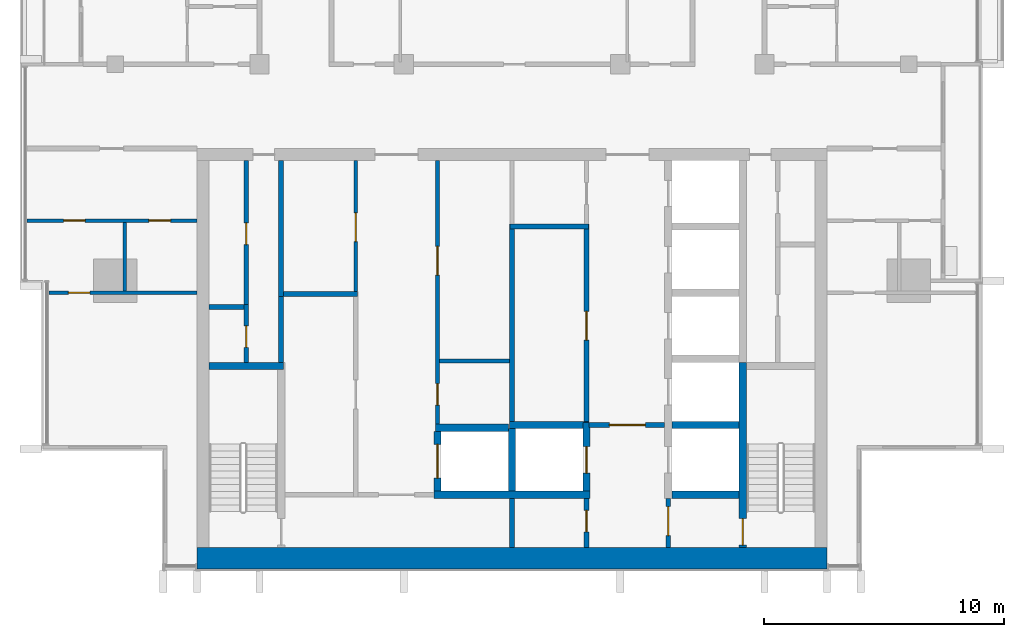
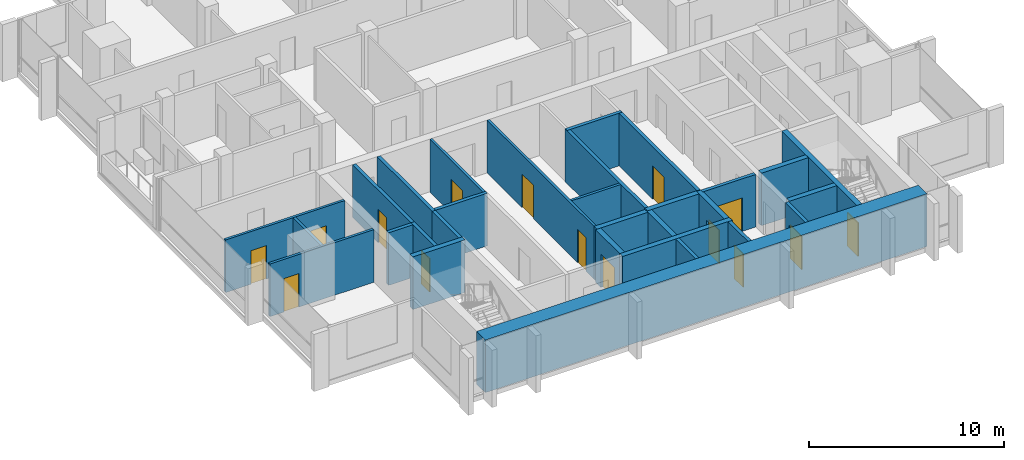
# One storey, part 7 of 15: 30 walls, 15 doors, 15 openings.
"""IFC4 building model written with IfcOpenShell, lengths in metres."""

from ifc_helpers import new_model, si_unit, direction, frame, frame_2d, origin, place, context, subcontext, project, spatial, rectangle, extrude, material, layer, layer_set, type_object, element, fill, save


model = new_model("IFC4")

# Units and contexts
model_context = context("Model", 3, precision=1e-05, world=origin(), true_north=direction((0.0, 1.0)))
body_context = subcontext(model_context, "Body", "Model", "MODEL_VIEW")
ifc_project = project(units=[si_unit("LENGTHUNIT", "METRE"), si_unit("AREAUNIT", "SQUARE_METRE"), si_unit("VOLUMEUNIT", "CUBIC_METRE"), si_unit("PLANEANGLEUNIT", "RADIAN"), si_unit("MASSUNIT", "GRAM", prefix="KILO")], contexts=[model_context])

# Site, building, storey
site_placement = place(None, origin())
site = spatial("IfcSite", under=ifc_project, at=site_placement, CompositionType="ELEMENT")
building_placement = place(site_placement, origin())
building = spatial("IfcBuilding", under=site, at=building_placement, Name="Finial Court Residences", CompositionType="ELEMENT")
storey_placement = place(building_placement, frame((0.0, 0.0, 266.300048828125)))
storey = spatial("IfcBuildingStorey", under=building, at=storey_placement, Name="L67", CompositionType="ELEMENT", Elevation=266.300048828125)

# Wall
ifc_material_1 = material(Name="Fire-rated gypsum board partition")
ifc_layer_1 = layer(ifc_material_1, 0.14990234375)
ifc_layer_set_1 = layer_set([ifc_layer_1], Name="Core room partition 150 EI 60")
wall_type_1 = type_object("IfcWallType", Name="Core room partition 150 EI 60", PredefinedType="PARTITIONING", material=ifc_layer_set_1)
wall_1_placement = place(storey_placement, frame((-3.02490234375, -16.840087890625, 0.0), z_axis=(0.0, 0.0, 1.0), x_axis=(1.0, 0.0, 0.0)))
element("IfcWall", 1, at=wall_1_placement, inside=storey, type_object=wall_type_1, Name="Core partition L67-11", PredefinedType="PARTITIONING", context=body_context, shape_type="SweptSolid", body=[
    extrude(rectangle(XDim=2.9248046875, YDim=0.14990234375, at=frame_2d((1.46240234375, 0.0))), origin(), (0.0, 0.0, 1.0), 3.300048828125),
])

# Wall, opening, door
wall_2_placement = place(storey_placement, frame((-6.5, -13.9599609375, 0.0), z_axis=(0.0, 0.0, 1.0), x_axis=(0.0, 1.0, 0.0)))
wall_2 = element("IfcWall", 2, at=wall_2_placement, inside=storey, type_object=wall_type_1, Name="Core partition L67-25", PredefinedType="PARTITIONING", context=body_context, shape_type="SweptSolid", body=[
    extrude(rectangle(XDim=5.4599609375, YDim=0.14990234375, at=frame_2d((2.72998046875, 0.0))), origin(), (0.0, 0.0, 1.0), 3.300048828125),
])
opening_1_placement = place(wall_2_placement, frame((2.080078125, 0.0, 0.0)))
opening_1 = element("IfcOpeningElement", 3, at=opening_1_placement, cuts=wall_2, Name="Opening L67-C15", PredefinedType="OPENING", context=body_context, shape_type="SweptSolid", body=[
    extrude(rectangle(XDim=1.199951171875, YDim=2.10009765625, at=frame_2d((0.60009765625, 1.050048828125))), frame((0.0, 0.0849609375, 0.0), z_axis=(0.0, -1.0, 0.0), x_axis=(1.0, 0.0, 0.0)), (0.0, 0.0, 1.0), 0.169921875),
])
ifc_material_2 = material(Name="Steel fire door", Category="steel")
door_type_1 = type_object("IfcDoorType", Name="Core room door 1200 x 2100 EI 60", OperationType="NOTDEFINED", PredefinedType="DOOR", material=ifc_material_2)
door_1_placement = place(opening_1_placement, origin())
door_1 = element("IfcDoor", 4, at=door_1_placement, inside=storey, type_object=door_type_1, Name="Core room door L67-C15", OperationType="SINGLE_SWING_RIGHT", OverallHeight=2.10009765625, OverallWidth=1.199951171875, PredefinedType="DOOR", context=body_context, shape_type="SweptSolid", body=[
    extrude(rectangle(XDim=1.199951171875, YDim=2.10009765625, at=frame_2d((0.60009765625, 1.050048828125))), frame((0.0, 0.02490234375, 0.0), z_axis=(0.0, -1.0, 0.0), x_axis=(1.0, 0.0, 0.0)), (0.0, 0.0, 1.0), 0.050048828125),
])
fill(opening_1, door_1)

# Wall, openings, doors
wall_3_placement = place(storey_placement, frame((-3.10009765625, -8.5, 0.0), z_axis=(0.0, 0.0, 1.0), x_axis=(0.0, -1.0, 0.0)))
wall_3 = element("IfcWall", 5, at=wall_3_placement, inside=storey, type_object=wall_type_1, Name="Core partition L67-27", PredefinedType="PARTITIONING", context=body_context, shape_type="SweptSolid", body=[
    extrude(rectangle(XDim=10.969970703125, YDim=0.14990234375, at=frame_2d((5.48486328125, 0.0))), origin(), (0.0, 0.0, 1.0), 3.300048828125),
])
opening_2_placement = place(wall_3_placement, frame((9.280029296875, 0.0, 0.0)))
opening_2 = element("IfcOpeningElement", 6, at=opening_2_placement, cuts=wall_3, Name="Opening L67-C16", PredefinedType="OPENING", context=body_context, shape_type="SweptSolid", body=[
    extrude(rectangle(XDim=0.89990234375, YDim=2.10009765625, at=frame_2d((0.449951171875, 1.050048828125))), frame((0.0, 0.0849609375, 0.0), z_axis=(0.0, -1.0, 0.0), x_axis=(1.0, 0.0, 0.0)), (0.0, 0.0, 1.0), 0.169921875),
])
opening_3_placement = place(wall_3_placement, frame((3.570068359375, 0.0, 0.0)))
opening_3 = element("IfcOpeningElement", 7, at=opening_3_placement, cuts=wall_3, Name="Opening L67-C17", PredefinedType="OPENING", context=body_context, shape_type="SweptSolid", body=[
    extrude(rectangle(XDim=1.199951171875, YDim=2.10009765625, at=frame_2d((0.60009765625, 1.050048828125))), frame((0.0, 0.0849609375, 0.0), z_axis=(0.0, -1.0, 0.0), x_axis=(1.0, 0.0, 0.0)), (0.0, 0.0, 1.0), 0.169921875),
])
door_2_placement = place(opening_3_placement, origin())
door_2 = element("IfcDoor", 8, at=door_2_placement, inside=storey, type_object=door_type_1, Name="Core room door L67-C17", OperationType="SINGLE_SWING_RIGHT", OverallHeight=2.10009765625, OverallWidth=1.199951171875, PredefinedType="DOOR", context=body_context, shape_type="SweptSolid", body=[
    extrude(rectangle(XDim=1.199951171875, YDim=2.10009765625, at=frame_2d((0.60009765625, 1.050048828125))), frame((0.0, 0.02490234375, 0.0), z_axis=(0.0, -1.0, 0.0), x_axis=(1.0, 0.0, 0.0)), (0.0, 0.0, 1.0), 0.050048828125),
])
fill(opening_3, door_2)
door_type_2 = type_object("IfcDoorType", Name="Core room door 900 x 2100 EI 60", OperationType="NOTDEFINED", PredefinedType="DOOR", material=ifc_material_2)
door_3_placement = place(opening_2_placement, origin())
door_3 = element("IfcDoor", 9, at=door_3_placement, inside=storey, type_object=door_type_2, Name="Core room door L67-C16", OperationType="SINGLE_SWING_RIGHT", OverallHeight=2.10009765625, OverallWidth=0.89990234375, PredefinedType="DOOR", context=body_context, shape_type="SweptSolid", body=[
    extrude(rectangle(XDim=0.89990234375, YDim=2.10009765625, at=frame_2d((0.449951171875, 1.050048828125))), frame((0.0, 0.02490234375, 0.0), z_axis=(0.0, -1.0, 0.0), x_axis=(1.0, 0.0, 0.0)), (0.0, 0.0, 1.0), 0.050048828125),
])
fill(opening_2, door_3)

# Wall
ifc_material_3 = material(Name="Concrete C50/60", Category="concrete")
ifc_layer_2 = layer(ifc_material_3, 0.89990234375)
ifc_layer_set_2 = layer_set([ifc_layer_2], Name="Core south facade wall 900 Concrete C50/60")
wall_type_2 = type_object("IfcWallType", Name="Core south facade wall 900 Concrete C50/60", PredefinedType="SHEAR", material=ifc_layer_set_2)
wall_4_placement = place(storey_placement, frame((-13.10009765625, -25.050048828125, 0.0), z_axis=(0.0, 0.0, 1.0), x_axis=(1.0, 0.0, 0.0)))
element("IfcWall", 10, at=wall_4_placement, inside=storey, type_object=wall_type_2, Name="Core outer wall L67-01", PredefinedType="SHEAR", context=body_context, shape_type="SweptSolid", body=[
    extrude(rectangle(XDim=26.2001953125, YDim=0.89990234375, at=frame_2d((13.10009765625, 0.0))), origin(), (0.0, 0.0, 1.0), 3.300048828125),
])

# Wall, opening, door
ifc_layer_3 = layer(ifc_material_1, 0.199951171875)
ifc_layer_set_3 = layer_set([ifc_layer_3], Name="Firefighting lobby wall 200 EI 120")
wall_type_3 = type_object("IfcWallType", Name="Firefighting lobby wall 200 EI 120", PredefinedType="PARTITIONING", material=ifc_layer_set_3)
wall_5_placement = place(storey_placement, frame((6.35009765625, -19.5, 0.0), z_axis=(0.0, 0.0, 1.0), x_axis=(-1.0, 0.0, 0.0)))
wall_5 = element("IfcWall", 11, at=wall_5_placement, inside=storey, type_object=wall_type_3, Name="Core partition L67-07", PredefinedType="PARTITIONING", context=body_context, shape_type="SweptSolid", body=[
    extrude(rectangle(XDim=3.150146484375, YDim=0.199951171875, at=frame_2d((1.5751953125, 0.0))), origin(), (0.0, 0.0, 1.0), 3.300048828125),
])
opening_4_placement = place(wall_5_placement, frame((0.800048828125, 0.0, 0.0)))
opening_4 = element("IfcOpeningElement", 12, at=opening_4_placement, cuts=wall_5, Name="Opening L67-C02", PredefinedType="OPENING", context=body_context, shape_type="SweptSolid", body=[
    extrude(rectangle(XDim=1.5, YDim=2.10009765625, at=frame_2d((0.75, 1.050048828125))), frame((0.0, 0.10986328125, 0.0), z_axis=(0.0, -1.0, 0.0), x_axis=(1.0, 0.0, 0.0)), (0.0, 0.0, 1.0), 0.219970703125),
])
door_type_3 = type_object("IfcDoorType", Name="Firefighting lobby door 1500 x 2100 EI 90", OperationType="DOUBLE_DOOR_SINGLE_SWING", PredefinedType="DOOR", material=ifc_material_2)
door_4_placement = place(opening_4_placement, origin())
door_4 = element("IfcDoor", 13, at=door_4_placement, inside=storey, type_object=door_type_3, Name="Firefighting lobby door L67-C02", OperationType="DOUBLE_DOOR_SINGLE_SWING", OverallHeight=2.10009765625, OverallWidth=1.5, PredefinedType="DOOR", context=body_context, shape_type="SweptSolid", body=[
    extrude(rectangle(XDim=1.5, YDim=2.10009765625, at=frame_2d((0.75, 1.050048828125))), frame((0.0, 0.02490234375, 0.0), z_axis=(0.0, -1.0, 0.0), x_axis=(1.0, 0.0, 0.0)), (0.0, 0.0, 1.0), 0.050048828125),
])
fill(opening_4, door_4)

wall_6_placement = place(storey_placement, frame((3.10009765625, -24.60009765625, 0.0), z_axis=(0.0, 0.0, 1.0), x_axis=(0.0, 1.0, 0.0)))
wall_6 = element("IfcWall", 14, at=wall_6_placement, inside=storey, type_object=wall_type_3, Name="Core partition L67-32", PredefinedType="PARTITIONING", context=body_context, shape_type="SweptSolid", body=[
    extrude(rectangle(XDim=2.050048828125, YDim=0.199951171875, at=frame_2d((1.02490234375, 0.0))), origin(), (0.0, 0.0, 1.0), 3.300048828125),
])
opening_5_placement = place(wall_6_placement, frame((0.64990234375, 0.0, 0.0)))
opening_5 = element("IfcOpeningElement", 15, at=opening_5_placement, cuts=wall_6, Name="Opening L67-C06", PredefinedType="OPENING", context=body_context, shape_type="SweptSolid", body=[
    extrude(rectangle(XDim=0.89990234375, YDim=2.10009765625, at=frame_2d((0.449951171875, 1.050048828125))), frame((0.0, 0.10986328125, 0.0), z_axis=(0.0, -1.0, 0.0), x_axis=(1.0, 0.0, 0.0)), (0.0, 0.0, 1.0), 0.219970703125),
])
door_type_4 = type_object("IfcDoorType", Name="Riser room door 900 x 2100 EI 90", OperationType="NOTDEFINED", PredefinedType="DOOR", material=ifc_material_2)
door_5_placement = place(opening_5_placement, origin())
door_5 = element("IfcDoor", 16, at=door_5_placement, inside=storey, type_object=door_type_4, Name="Riser room door L67-C06", OperationType="SINGLE_SWING_LEFT", OverallHeight=2.10009765625, OverallWidth=0.89990234375, PredefinedType="DOOR", context=body_context, shape_type="SweptSolid", body=[
    extrude(rectangle(XDim=0.89990234375, YDim=2.10009765625, at=frame_2d((0.449951171875, 1.050048828125))), frame((0.0, 0.02490234375, 0.0), z_axis=(0.0, -1.0, 0.0), x_axis=(1.0, 0.0, 0.0)), (0.0, 0.0, 1.0), 0.050048828125),
])
fill(opening_5, door_5)

wall_7_placement = place(storey_placement, frame((6.5, -22.550048828125, 0.0), z_axis=(0.0, 0.0, 1.0), x_axis=(0.0, -1.0, 0.0)))
wall_7 = element("IfcWall", 17, at=wall_7_placement, inside=storey, type_object=wall_type_3, Name="Core partition L67-36", PredefinedType="PARTITIONING", context=body_context, shape_type="SweptSolid", body=[
    extrude(rectangle(XDim=2.050048828125, YDim=0.199951171875, at=frame_2d((1.02490234375, 0.0))), origin(), (0.0, 0.0, 1.0), 3.300048828125),
])
opening_6_placement = place(wall_7_placement, frame((0.35009765625, 0.0, 0.0)))
opening_6 = element("IfcOpeningElement", 18, at=opening_6_placement, cuts=wall_7, Name="Opening L67-C01", PredefinedType="OPENING", context=body_context, shape_type="SweptSolid", body=[
    extrude(rectangle(XDim=1.199951171875, YDim=2.10009765625, at=frame_2d((0.60009765625, 1.050048828125))), frame((0.0, 0.10986328125, 0.0), z_axis=(0.0, -1.0, 0.0), x_axis=(1.0, 0.0, 0.0)), (0.0, 0.0, 1.0), 0.219970703125),
])
door_type_5 = type_object("IfcDoorType", Name="Firefighting lobby door 1200 x 2100 EI 90", OperationType="NOTDEFINED", PredefinedType="DOOR", material=ifc_material_2)
door_6_placement = place(opening_6_placement, origin())
door_6 = element("IfcDoor", 19, at=door_6_placement, inside=storey, type_object=door_type_5, Name="Firefighting lobby door L67-C01", OperationType="SINGLE_SWING_RIGHT", OverallHeight=2.10009765625, OverallWidth=1.199951171875, PredefinedType="DOOR", context=body_context, shape_type="SweptSolid", body=[
    extrude(rectangle(XDim=1.199951171875, YDim=2.10009765625, at=frame_2d((0.60009765625, 1.050048828125))), frame((0.0, 0.02490234375, 0.0), z_axis=(0.0, -1.0, 0.0), x_axis=(1.0, 0.0, 0.0)), (0.0, 0.0, 1.0), 0.050048828125),
])
fill(opening_6, door_6)

ifc_material_4 = material(Name="Moisture-resistant gypsum board")
ifc_layer_4 = layer(ifc_material_4, 0.012451171875)
ifc_material_5 = material(Name="Mineral wool in light-gauge frame")
ifc_layer_5 = layer(ifc_material_5, 0.125)
ifc_layer_6 = layer(ifc_material_4, 0.012451171875)
ifc_layer_set_4 = layer_set([ifc_layer_4, ifc_layer_5, ifc_layer_6], Name="Gypsum board wet-area partition 150")
wall_type_4 = type_object("IfcWallType", Name="Gypsum board wet-area partition 150", PredefinedType="PARTITIONING", material=ifc_layer_set_4)
wall_8_placement = place(storey_placement, frame((-19.262451171875, -14.0, 0.0), z_axis=(0.0, 0.0, 1.0), x_axis=(1.0, 0.0, 0.0)))
wall_8 = element("IfcWall", 20, at=wall_8_placement, inside=storey, type_object=wall_type_4, Name="Partition L67-000", PredefinedType="PARTITIONING", context=body_context, shape_type="SweptSolid", body=[
    extrude(rectangle(XDim=6.162353515625, YDim=0.14990234375, at=frame_2d((3.0810546875, 0.0))), origin(), (0.0, 0.0, 1.0), 3.300048828125),
])
opening_7_placement = place(wall_8_placement, frame((0.81201171875, 0.0, 0.0)))
opening_7 = element("IfcOpeningElement", 21, at=opening_7_placement, cuts=wall_8, Name="Opening L67-D001", PredefinedType="OPENING", context=body_context, shape_type="SweptSolid", body=[
    extrude(rectangle(XDim=0.89990234375, YDim=2.10009765625, at=frame_2d((0.449951171875, 1.050048828125))), frame((0.0, 0.0849609375, 0.0), z_axis=(0.0, -1.0, 0.0), x_axis=(1.0, 0.0, 0.0)), (0.0, 0.0, 1.0), 0.169921875),
])
ifc_material_6 = material(Name="Timber door leaf in timber frame", Category="wood")
door_type_6 = type_object("IfcDoorType", Name="Door set 900 x 2100", OperationType="SINGLE_SWING_LEFT", PredefinedType="DOOR", material=ifc_material_6)
door_7_placement = place(opening_7_placement, origin())
door_7 = element("IfcDoor", 22, at=door_7_placement, inside=storey, type_object=door_type_6, Name="Door L67-D001", OperationType="SINGLE_SWING_LEFT", OverallHeight=2.10009765625, OverallWidth=0.89990234375, PredefinedType="DOOR", context=body_context, shape_type="SweptSolid", body=[
    extrude(rectangle(XDim=0.89990234375, YDim=2.10009765625, at=frame_2d((0.449951171875, 1.050048828125))), frame((0.0, 0.02490234375, 0.0), z_axis=(0.0, -1.0, 0.0), x_axis=(1.0, 0.0, 0.0)), (0.0, 0.0, 1.0), 0.050048828125),
])
fill(opening_7, door_7)

# Wall, openings, doors
wall_9_placement = place(storey_placement, frame((-20.16259765625, -11.0, 0.0), z_axis=(0.0, 0.0, 1.0), x_axis=(1.0, 0.0, 0.0)))
wall_9 = element("IfcWall", 23, at=wall_9_placement, inside=storey, type_object=wall_type_4, Name="Partition L67-002", PredefinedType="PARTITIONING", context=body_context, shape_type="SweptSolid", body=[
    extrude(rectangle(XDim=7.0625, YDim=0.14990234375, at=frame_2d((3.53125, 0.0))), origin(), (0.0, 0.0, 1.0), 3.300048828125),
])
opening_8_placement = place(wall_9_placement, frame((1.512939453125, 0.0, 0.0)))
opening_8 = element("IfcOpeningElement", 24, at=opening_8_placement, cuts=wall_9, Name="Opening L67-D003", PredefinedType="OPENING", context=body_context, shape_type="SweptSolid", body=[
    extrude(rectangle(XDim=0.89990234375, YDim=2.10009765625, at=frame_2d((0.449951171875, 1.050048828125))), frame((0.0, 0.0849609375, 0.0), z_axis=(0.0, -1.0, 0.0), x_axis=(1.0, 0.0, 0.0)), (0.0, 0.0, 1.0), 0.169921875),
])
opening_9_placement = place(wall_9_placement, frame((5.06298828125, 0.0, 0.0)))
opening_9 = element("IfcOpeningElement", 25, at=opening_9_placement, cuts=wall_9, Name="Opening L67-D004", PredefinedType="OPENING", context=body_context, shape_type="SweptSolid", body=[
    extrude(rectangle(XDim=0.89990234375, YDim=2.10009765625, at=frame_2d((0.449951171875, 1.050048828125))), frame((0.0, 0.0849609375, 0.0), z_axis=(0.0, -1.0, 0.0), x_axis=(1.0, 0.0, 0.0)), (0.0, 0.0, 1.0), 0.169921875),
])
door_8_placement = place(opening_8_placement, origin())
door_8 = element("IfcDoor", 26, at=door_8_placement, inside=storey, type_object=door_type_6, Name="Door L67-D003", OperationType="SINGLE_SWING_LEFT", OverallHeight=2.10009765625, OverallWidth=0.89990234375, PredefinedType="DOOR", context=body_context, shape_type="SweptSolid", body=[
    extrude(rectangle(XDim=0.89990234375, YDim=2.10009765625, at=frame_2d((0.449951171875, 1.050048828125))), frame((0.0, 0.02490234375, 0.0), z_axis=(0.0, -1.0, 0.0), x_axis=(1.0, 0.0, 0.0)), (0.0, 0.0, 1.0), 0.050048828125),
])
fill(opening_8, door_8)
door_9_placement = place(opening_9_placement, origin())
door_9 = element("IfcDoor", 27, at=door_9_placement, inside=storey, type_object=door_type_6, Name="Door L67-D004", OperationType="SINGLE_SWING_RIGHT", OverallHeight=2.10009765625, OverallWidth=0.89990234375, PredefinedType="DOOR", context=body_context, shape_type="SweptSolid", body=[
    extrude(rectangle(XDim=0.89990234375, YDim=2.10009765625, at=frame_2d((0.449951171875, 1.050048828125))), frame((0.0, 0.02490234375, 0.0), z_axis=(0.0, -1.0, 0.0), x_axis=(1.0, 0.0, 0.0)), (0.0, 0.0, 1.0), 0.050048828125),
])
fill(opening_9, door_9)

# Walls
wall_10_placement = place(storey_placement, frame((-16.10009765625, -13.925048828125, 0.0), z_axis=(0.0, 0.0, 1.0), x_axis=(0.0, 1.0, 0.0)))
element("IfcWall", 28, at=wall_10_placement, inside=storey, type_object=wall_type_4, Name="Partition L67-018", PredefinedType="PARTITIONING", context=body_context, shape_type="SweptSolid", body=[
    extrude(rectangle(XDim=2.85009765625, YDim=0.14990234375, at=frame_2d((1.425048828125, 0.0))), origin(), (0.0, 0.0, 1.0), 3.300048828125),
])
ifc_layer_7 = layer(ifc_material_3, 0.300048828125)
ifc_layer_set_5 = layer_set([ifc_layer_7], Name="Lift shaft and stair wall 300 Concrete C50/60")
wall_type_5 = type_object("IfcWallType", Name="Lift shaft and stair wall 300 Concrete C50/60", PredefinedType="SHEAR", material=ifc_layer_set_5)
wall_11_placement = place(storey_placement, frame((-3.25, -22.39990234375, 0.0), z_axis=(0.0, 0.0, 1.0), x_axis=(1.0, 0.0, 0.0)))
element("IfcWall", 29, at=wall_11_placement, inside=storey, type_object=wall_type_5, Name="Core wall L67-03", PredefinedType="SHEAR", context=body_context, shape_type="SweptSolid", body=[
    extrude(rectangle(XDim=6.5, YDim=0.300048828125, at=frame_2d((3.25, 0.0))), origin(), (0.0, 0.0, 1.0), 3.300048828125),
])
wall_12_placement = place(storey_placement, frame((6.64990234375, -22.39990234375, 0.0), z_axis=(0.0, 0.0, 1.0), x_axis=(1.0, 0.0, 0.0)))
element("IfcWall", 30, at=wall_12_placement, inside=storey, type_object=wall_type_5, Name="Core wall L67-04", PredefinedType="SHEAR", context=body_context, shape_type="SweptSolid", body=[
    extrude(rectangle(XDim=2.800048828125, YDim=0.300048828125, at=frame_2d((1.39990234375, 0.0))), origin(), (0.0, 0.0, 1.0), 3.300048828125),
])
wall_13_placement = place(storey_placement, frame((-3.175048828125, -19.6201171875, 0.0), z_axis=(0.0, 0.0, 1.0), x_axis=(1.0, 0.0, 0.0)))
element("IfcWall", 31, at=wall_13_placement, inside=storey, type_object=wall_type_5, Name="Core wall L67-05", PredefinedType="SHEAR", context=body_context, shape_type="SweptSolid", body=[
    extrude(rectangle(XDim=3.025146484375, YDim=0.300048828125, at=frame_2d((1.5126953125, 0.0))), origin(), (0.0, 0.0, 1.0), 3.300048828125),
])
wall_14_placement = place(storey_placement, frame((-0.10009765625, -19.5, 0.0), z_axis=(0.0, 0.0, 1.0), x_axis=(1.0, 0.0, 0.0)))
element("IfcWall", 32, at=wall_14_placement, inside=storey, type_object=wall_type_5, Name="Core wall L67-06", PredefinedType="SHEAR", context=body_context, shape_type="SweptSolid", body=[
    extrude(rectangle(XDim=3.300048828125, YDim=0.300048828125, at=frame_2d((1.64990234375, 0.0))), origin(), (0.0, 0.0, 1.0), 3.300048828125),
])
wall_15_placement = place(storey_placement, frame((6.64990234375, -19.5, 0.0), z_axis=(0.0, 0.0, 1.0), x_axis=(1.0, 0.0, 0.0)))
element("IfcWall", 33, at=wall_15_placement, inside=storey, type_object=wall_type_5, Name="Core wall L67-08", PredefinedType="SHEAR", context=body_context, shape_type="SweptSolid", body=[
    extrude(rectangle(XDim=2.800048828125, YDim=0.300048828125, at=frame_2d((1.39990234375, 0.0))), origin(), (0.0, 0.0, 1.0), 3.300048828125),
])
wall_16_placement = place(storey_placement, frame((-12.60009765625, -17.050048828125, 0.0), z_axis=(0.0, 0.0, 1.0), x_axis=(1.0, 0.0, 0.0)))
element("IfcWall", 34, at=wall_16_placement, inside=storey, type_object=wall_type_5, Name="Core wall L67-09", PredefinedType="SHEAR", context=body_context, shape_type="SweptSolid", body=[
    extrude(rectangle(XDim=3.10009765625, YDim=0.300048828125, at=frame_2d((1.550048828125, 0.0))), origin(), (0.0, 0.0, 1.0), 3.300048828125),
])

# Wall, opening, door
wall_17_placement = place(storey_placement, frame((-3.10009765625, -22.25, 0.0), z_axis=(0.0, 0.0, 1.0), x_axis=(0.0, 1.0, 0.0)))
wall_17 = element("IfcWall", 35, at=wall_17_placement, inside=storey, type_object=wall_type_5, Name="Core wall L67-26", PredefinedType="SHEAR", context=body_context, shape_type="SweptSolid", body=[
    extrude(rectangle(XDim=2.47998046875, YDim=0.300048828125, at=frame_2d((1.239990234375, 0.0))), origin(), (0.0, 0.0, 1.0), 3.300048828125),
])
opening_10_placement = place(wall_17_placement, frame((0.5400390625, 0.0, 0.0)))
opening_10 = element("IfcOpeningElement", 36, at=opening_10_placement, cuts=wall_17, Name="Opening L67-LD07", PredefinedType="OPENING", context=body_context, shape_type="SweptSolid", body=[
    extrude(rectangle(XDim=1.39990234375, YDim=2.10009765625, at=frame_2d((0.699951171875, 1.050048828125))), frame((0.0, 0.159912109375, 0.0), z_axis=(0.0, -1.0, 0.0), x_axis=(1.0, 0.0, 0.0)), (0.0, 0.0, 1.0), 0.320068359375),
])
ifc_material_7 = material(Name="Stainless steel lift door", Category="steel")
door_type_7 = type_object("IfcDoorType", Name="Lift landing door 1400 x 2100 EI 90", OperationType="DOUBLE_DOOR_SLIDING", PredefinedType="DOOR", material=ifc_material_7)
door_10_placement = place(opening_10_placement, origin())
door_10 = element("IfcDoor", 37, at=door_10_placement, inside=storey, type_object=door_type_7, Name="Lift landing door SV1 L67", OperationType="DOUBLE_DOOR_SLIDING", OverallHeight=2.10009765625, OverallWidth=1.39990234375, PredefinedType="DOOR", context=body_context, shape_type="SweptSolid", body=[
    extrude(rectangle(XDim=1.39990234375, YDim=2.10009765625, at=frame_2d((0.699951171875, 1.050048828125))), frame((0.0, 0.02490234375, 0.0), z_axis=(0.0, -1.0, 0.0), x_axis=(1.0, 0.0, 0.0)), (0.0, 0.0, 1.0), 0.050048828125),
])
fill(opening_10, door_10)

# Wall
wall_18_placement = place(storey_placement, frame((0.0, -22.25, 0.0), z_axis=(0.0, 0.0, 1.0), x_axis=(0.0, 1.0, 0.0)))
element("IfcWall", 38, at=wall_18_placement, inside=storey, type_object=wall_type_5, Name="Core wall L67-29", PredefinedType="SHEAR", context=body_context, shape_type="SweptSolid", body=[
    extrude(rectangle(XDim=2.60009765625, YDim=0.300048828125, at=frame_2d((1.300048828125, 0.0))), origin(), (0.0, 0.0, 1.0), 3.300048828125),
])

# Wall, opening, door
wall_19_placement = place(storey_placement, frame((3.10009765625, -22.25, 0.0), z_axis=(0.0, 0.0, 1.0), x_axis=(0.0, 1.0, 0.0)))
wall_19 = element("IfcWall", 39, at=wall_19_placement, inside=storey, type_object=wall_type_5, Name="Core wall L67-33", PredefinedType="SHEAR", context=body_context, shape_type="SweptSolid", body=[
    extrude(rectangle(XDim=2.85009765625, YDim=0.300048828125, at=frame_2d((1.425048828125, 0.0))), origin(), (0.0, 0.0, 1.0), 3.300048828125),
])
opening_11_placement = place(wall_19_placement, frame((0.75, 0.0, 0.0)))
opening_11 = element("IfcOpeningElement", 40, at=opening_11_placement, cuts=wall_19, Name="Opening L67-LD01", PredefinedType="OPENING", context=body_context, shape_type="SweptSolid", body=[
    extrude(rectangle(XDim=1.10009765625, YDim=2.10009765625, at=frame_2d((0.550048828125, 1.050048828125))), frame((0.0, 0.159912109375, 0.0), z_axis=(0.0, -1.0, 0.0), x_axis=(1.0, 0.0, 0.0)), (0.0, 0.0, 1.0), 0.320068359375),
])
door_type_8 = type_object("IfcDoorType", Name="Lift landing door 1100 x 2100 EI 90", OperationType="DOUBLE_DOOR_SLIDING", PredefinedType="DOOR", material=ifc_material_7)
door_11_placement = place(opening_11_placement, origin())
door_11 = element("IfcDoor", 41, at=door_11_placement, inside=storey, type_object=door_type_8, Name="Lift landing door FF1 L67", OperationType="DOUBLE_DOOR_SLIDING", OverallHeight=2.10009765625, OverallWidth=1.10009765625, PredefinedType="DOOR", context=body_context, shape_type="SweptSolid", body=[
    extrude(rectangle(XDim=1.10009765625, YDim=2.10009765625, at=frame_2d((0.550048828125, 1.050048828125))), frame((0.0, 0.02490234375, 0.0), z_axis=(0.0, -1.0, 0.0), x_axis=(1.0, 0.0, 0.0)), (0.0, 0.0, 1.0), 0.050048828125),
])
fill(opening_11, door_11)

wall_20_placement = place(storey_placement, frame((9.60009765625, -16.89990234375, 0.0), z_axis=(0.0, 0.0, 1.0), x_axis=(0.0, -1.0, 0.0)))
wall_20 = element("IfcWall", 42, at=wall_20_placement, inside=storey, type_object=wall_type_5, Name="Core wall L67-38", PredefinedType="SHEAR", context=body_context, shape_type="SweptSolid", body=[
    extrude(rectangle(XDim=7.7001953125, YDim=0.300048828125, at=frame_2d((3.85009765625, 0.0))), origin(), (0.0, 0.0, 1.0), 3.300048828125),
])
opening_12_placement = place(wall_20_placement, frame((6.5, 0.0, 0.0)))
opening_12 = element("IfcOpeningElement", 43, at=opening_12_placement, cuts=wall_20, Name="Opening L67-C20", PredefinedType="OPENING", context=body_context, shape_type="SweptSolid", body=[
    extrude(rectangle(XDim=1.10009765625, YDim=2.10009765625, at=frame_2d((0.550048828125, 1.050048828125))), frame((0.0, 0.159912109375, 0.0), z_axis=(0.0, -1.0, 0.0), x_axis=(1.0, 0.0, 0.0)), (0.0, 0.0, 1.0), 0.320068359375),
])
door_type_9 = type_object("IfcDoorType", Name="Stair door 1100 x 2100 EI 90", OperationType="NOTDEFINED", PredefinedType="DOOR", material=ifc_material_2)
door_12_placement = place(opening_12_placement, origin())
door_12 = element("IfcDoor", 44, at=door_12_placement, inside=storey, type_object=door_type_9, Name="Stair door L67-C20", OperationType="SINGLE_SWING_RIGHT", OverallHeight=2.10009765625, OverallWidth=1.10009765625, PredefinedType="DOOR", context=body_context, shape_type="SweptSolid", body=[
    extrude(rectangle(XDim=1.10009765625, YDim=2.10009765625, at=frame_2d((0.550048828125, 1.050048828125))), frame((0.0, 0.02490234375, 0.0), z_axis=(0.0, -1.0, 0.0), x_axis=(1.0, 0.0, 0.0)), (0.0, 0.0, 1.0), 0.050048828125),
])
fill(opening_12, door_12)

# Walls
ifc_layer_8 = layer(ifc_material_1, 0.199951171875)
ifc_layer_set_6 = layer_set([ifc_layer_8], Name="Riser room wall 200 EI 120")
wall_type_6 = type_object("IfcWallType", Name="Riser room wall 200 EI 120", PredefinedType="PARTITIONING", material=ifc_layer_set_6)
wall_21_placement = place(storey_placement, frame((-12.60009765625, -14.60009765625, 0.0), z_axis=(0.0, 0.0, 1.0), x_axis=(1.0, 0.0, 0.0)))
element("IfcWall", 45, at=wall_21_placement, inside=storey, type_object=wall_type_6, Name="Core partition L67-13", PredefinedType="PARTITIONING", context=body_context, shape_type="SweptSolid", body=[
    extrude(rectangle(XDim=1.4501953125, YDim=0.199951171875, at=frame_2d((0.72509765625, 0.0))), origin(), (0.0, 0.0, 1.0), 3.300048828125),
])
wall_22_placement = place(storey_placement, frame((-9.5, -14.06005859375, 0.0), z_axis=(0.0, 0.0, 1.0), x_axis=(1.0, 0.0, 0.0)))
element("IfcWall", 46, at=wall_22_placement, inside=storey, type_object=wall_type_6, Name="Core partition L67-14", PredefinedType="PARTITIONING", context=body_context, shape_type="SweptSolid", body=[
    extrude(rectangle(XDim=3.074951171875, YDim=0.199951171875, at=frame_2d((1.53759765625, 0.0))), origin(), (0.0, 0.0, 1.0), 3.300048828125),
])
wall_23_placement = place(storey_placement, frame((-0.074951171875, -11.25, 0.0), z_axis=(0.0, 0.0, 1.0), x_axis=(1.0, 0.0, 0.0)))
element("IfcWall", 47, at=wall_23_placement, inside=storey, type_object=wall_type_6, Name="Core partition L67-17", PredefinedType="PARTITIONING", context=body_context, shape_type="SweptSolid", body=[
    extrude(rectangle(XDim=3.25, YDim=0.199951171875, at=frame_2d((1.625, 0.0))), origin(), (0.0, 0.0, 1.0), 3.300048828125),
])

# Wall, opening, door
wall_24_placement = place(storey_placement, frame((-11.050048828125, -14.699951171875, 0.0), z_axis=(0.0, 0.0, 1.0), x_axis=(0.0, 1.0, 0.0)))
wall_24 = element("IfcWall", 48, at=wall_24_placement, inside=storey, type_object=wall_type_6, Name="Core partition L67-20", PredefinedType="PARTITIONING", context=body_context, shape_type="SweptSolid", body=[
    extrude(rectangle(XDim=6.199951171875, YDim=0.199951171875, at=frame_2d((3.10009765625, 0.0))), origin(), (0.0, 0.0, 1.0), 3.300048828125),
])
opening_13_placement = place(wall_24_placement, frame((2.699951171875, 0.0, 0.0)))
opening_13 = element("IfcOpeningElement", 49, at=opening_13_placement, cuts=wall_24, Name="Opening L67-C07", PredefinedType="OPENING", context=body_context, shape_type="SweptSolid", body=[
    extrude(rectangle(XDim=0.89990234375, YDim=2.10009765625, at=frame_2d((0.449951171875, 1.050048828125))), frame((0.0, 0.10986328125, 0.0), z_axis=(0.0, -1.0, 0.0), x_axis=(1.0, 0.0, 0.0)), (0.0, 0.0, 1.0), 0.219970703125),
])
door_13_placement = place(opening_13_placement, origin())
door_13 = element("IfcDoor", 50, at=door_13_placement, inside=storey, type_object=door_type_4, Name="Riser room door L67-C07", OperationType="SINGLE_SWING_LEFT", OverallHeight=2.10009765625, OverallWidth=0.89990234375, PredefinedType="DOOR", context=body_context, shape_type="SweptSolid", body=[
    extrude(rectangle(XDim=0.89990234375, YDim=2.10009765625, at=frame_2d((0.449951171875, 1.050048828125))), frame((0.0, 0.02490234375, 0.0), z_axis=(0.0, -1.0, 0.0), x_axis=(1.0, 0.0, 0.0)), (0.0, 0.0, 1.0), 0.050048828125),
])
fill(opening_13, door_13)

# Walls
wall_25_placement = place(storey_placement, frame((-9.60009765625, -16.89990234375, 0.0), z_axis=(0.0, 0.0, 1.0), x_axis=(0.0, 1.0, 0.0)))
element("IfcWall", 51, at=wall_25_placement, inside=storey, type_object=wall_type_6, Name="Core partition L67-22", PredefinedType="PARTITIONING", context=body_context, shape_type="SweptSolid", body=[
    extrude(rectangle(XDim=2.739990234375, YDim=0.199951171875, at=frame_2d((1.3701171875, 0.0))), origin(), (0.0, 0.0, 1.0), 3.300048828125),
])
wall_26_placement = place(storey_placement, frame((0.0, -24.60009765625, 0.0), z_axis=(0.0, 0.0, 1.0), x_axis=(0.0, 1.0, 0.0)))
element("IfcWall", 52, at=wall_26_placement, inside=storey, type_object=wall_type_6, Name="Core partition L67-28", PredefinedType="PARTITIONING", context=body_context, shape_type="SweptSolid", body=[
    extrude(rectangle(XDim=2.050048828125, YDim=0.199951171875, at=frame_2d((1.02490234375, 0.0))), origin(), (0.0, 0.0, 1.0), 3.300048828125),
])
wall_27_placement = place(storey_placement, frame((0.0, -19.35009765625, 0.0), z_axis=(0.0, 0.0, 1.0), x_axis=(0.0, 1.0, 0.0)))
element("IfcWall", 53, at=wall_27_placement, inside=storey, type_object=wall_type_6, Name="Core partition L67-30", PredefinedType="PARTITIONING", context=body_context, shape_type="SweptSolid", body=[
    extrude(rectangle(XDim=8.2001953125, YDim=0.199951171875, at=frame_2d((4.10009765625, 0.0))), origin(), (0.0, 0.0, 1.0), 3.300048828125),
])

# Wall, opening, door
wall_28_placement = place(storey_placement, frame((3.10009765625, -19.60009765625, 0.0), z_axis=(0.0, 0.0, 1.0), x_axis=(0.0, 1.0, 0.0)))
wall_28 = element("IfcWall", 54, at=wall_28_placement, inside=storey, type_object=wall_type_6, Name="Core partition L67-34", PredefinedType="PARTITIONING", context=body_context, shape_type="SweptSolid", body=[
    extrude(rectangle(XDim=8.4501953125, YDim=0.199951171875, at=frame_2d((4.22509765625, 0.0))), origin(), (0.0, 0.0, 1.0), 3.300048828125),
])
opening_14_placement = place(wall_28_placement, frame((3.625, 0.0, 0.0)))
opening_14 = element("IfcOpeningElement", 55, at=opening_14_placement, cuts=wall_28, Name="Opening L67-C10", PredefinedType="OPENING", context=body_context, shape_type="SweptSolid", body=[
    extrude(rectangle(XDim=1.199951171875, YDim=2.10009765625, at=frame_2d((0.60009765625, 1.050048828125))), frame((0.0, 0.10986328125, 0.0), z_axis=(0.0, -1.0, 0.0), x_axis=(1.0, 0.0, 0.0)), (0.0, 0.0, 1.0), 0.219970703125),
])
door_type_10 = type_object("IfcDoorType", Name="Riser room door 1200 x 2100 EI 90", OperationType="NOTDEFINED", PredefinedType="DOOR", material=ifc_material_2)
door_14_placement = place(opening_14_placement, origin())
door_14 = element("IfcDoor", 56, at=door_14_placement, inside=storey, type_object=door_type_10, Name="Riser room door L67-C10", OperationType="SINGLE_SWING_LEFT", OverallHeight=2.10009765625, OverallWidth=1.199951171875, PredefinedType="DOOR", context=body_context, shape_type="SweptSolid", body=[
    extrude(rectangle(XDim=1.199951171875, YDim=2.10009765625, at=frame_2d((0.60009765625, 1.050048828125))), frame((0.0, 0.02490234375, 0.0), z_axis=(0.0, -1.0, 0.0), x_axis=(1.0, 0.0, 0.0)), (0.0, 0.0, 1.0), 0.050048828125),
])
fill(opening_14, door_14)

ifc_layer_9 = layer(ifc_material_1, 0.199951171875)
ifc_layer_set_7 = layer_set([ifc_layer_9], Name="Stair passage wall 200 EI 180")
wall_type_7 = type_object("IfcWallType", Name="Stair passage wall 200 EI 180", PredefinedType="PARTITIONING", material=ifc_layer_set_7)
wall_29_placement = place(storey_placement, frame((-11.050048828125, -16.89990234375, 0.0), z_axis=(0.0, 0.0, 1.0), x_axis=(0.0, 1.0, 0.0)))
wall_29 = element("IfcWall", 57, at=wall_29_placement, inside=storey, type_object=wall_type_7, Name="Core partition L67-19", PredefinedType="PARTITIONING", context=body_context, shape_type="SweptSolid", body=[
    extrude(rectangle(XDim=2.39990234375, YDim=0.199951171875, at=frame_2d((1.199951171875, 0.0))), origin(), (0.0, 0.0, 1.0), 3.300048828125),
])
opening_15_placement = place(wall_29_placement, frame((0.625, 0.0, 0.0)))
opening_15 = element("IfcOpeningElement", 58, at=opening_15_placement, cuts=wall_29, Name="Opening L67-C13", PredefinedType="OPENING", context=body_context, shape_type="SweptSolid", body=[
    extrude(rectangle(XDim=0.89990234375, YDim=2.10009765625, at=frame_2d((0.449951171875, 1.050048828125))), frame((0.0, 0.10986328125, 0.0), z_axis=(0.0, -1.0, 0.0), x_axis=(1.0, 0.0, 0.0)), (0.0, 0.0, 1.0), 0.219970703125),
])
door_15_placement = place(opening_15_placement, origin())
door_15 = element("IfcDoor", 59, at=door_15_placement, inside=storey, type_object=door_type_2, Name="Core room door L67-C13", OperationType="SINGLE_SWING_RIGHT", OverallHeight=2.10009765625, OverallWidth=0.89990234375, PredefinedType="DOOR", context=body_context, shape_type="SweptSolid", body=[
    extrude(rectangle(XDim=0.89990234375, YDim=2.10009765625, at=frame_2d((0.449951171875, 1.050048828125))), frame((0.0, 0.02490234375, 0.0), z_axis=(0.0, -1.0, 0.0), x_axis=(1.0, 0.0, 0.0)), (0.0, 0.0, 1.0), 0.050048828125),
])
fill(opening_15, door_15)

# Wall
wall_30_placement = place(storey_placement, frame((-9.60009765625, -14.159912109375, 0.0), z_axis=(0.0, 0.0, 1.0), x_axis=(0.0, 1.0, 0.0)))
element("IfcWall", 60, at=wall_30_placement, inside=storey, type_object=wall_type_7, Name="Core partition L67-23", PredefinedType="PARTITIONING", context=body_context, shape_type="SweptSolid", body=[
    extrude(rectangle(XDim=5.659912109375, YDim=0.199951171875, at=frame_2d((2.830078125, 0.0))), origin(), (0.0, 0.0, 1.0), 3.300048828125),
])

save(model, "model.ifc")
